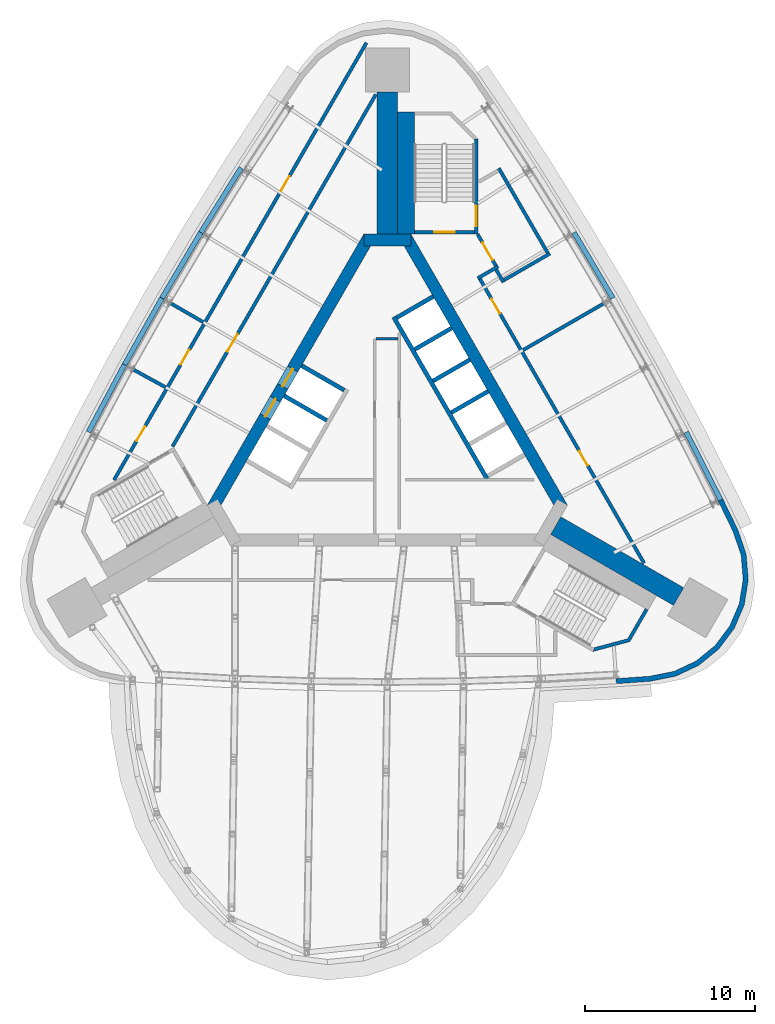
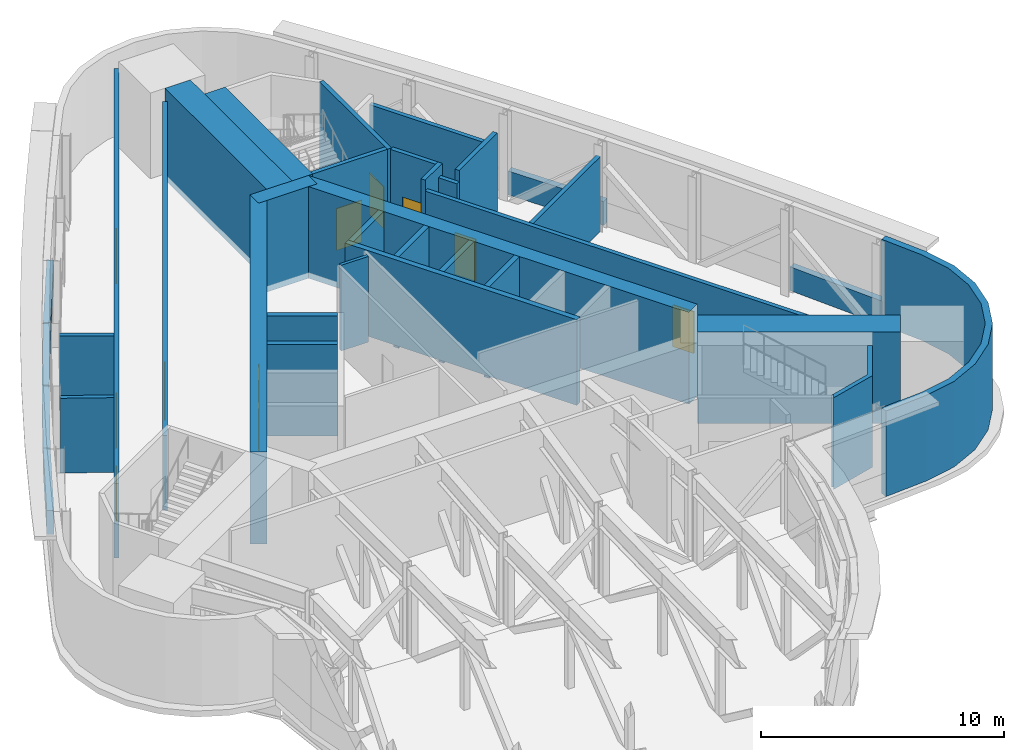
# One storey, part 7 of 10: 35 walls, 11 doors, 11 openings.
"""IFC4 building model written with IfcOpenShell, lengths in metres."""

import ifcopenshell
import ifcopenshell.guid

model = None  # the IFC model being written
_history = None  # IfcOwnerHistory: only IFC2X3 demands one
_inside = {}  # id of a spatial element -> (the spatial element, [elements in it])
_under = {}  # id of a project, library or spatial element -> (it, [spatial elements below it])
_declared = {}  # id of a project -> (the project, [libraries it declares])
_typed = {}  # id of a type object -> (the type object, [elements of that type])
_made_of = {}  # id of a material, layer set ... -> (it, [elements and type objects made of it])


def new_model(schema):
    """Start an empty IFC model of exactly this schema.

    Asked for "IFC4X3", IfcOpenShell would pick the latest addendum, in which some entities
    have other attributes; the version numbers below select the first issue.
    IFC2X3 requires an IfcOwnerHistory on every rooted entity: one is made here for all.
    """
    global model, _history
    if schema == "IFC4X3":
        model = ifcopenshell.file(schema_version=(4, 3, 0, 0))
    else:
        model = ifcopenshell.file(schema=schema)
    _inside.clear()
    _under.clear()
    _declared.clear()
    _typed.clear()
    _made_of.clear()
    _history = None
    if model.schema == "IFC2X3":
        org = make("IfcOrganization", Name="unknown")
        user = make(
            "IfcPersonAndOrganization",
            ThePerson=make("IfcPerson", FamilyName="unknown"),
            TheOrganization=org,
        )
        app = make(
            "IfcApplication",
            ApplicationDeveloper=org,
            Version="unknown",
            ApplicationFullName="unknown",
            ApplicationIdentifier="unknown",
        )
        _history = make(
            "IfcOwnerHistory",
            OwningUser=user,
            OwningApplication=app,
            ChangeAction="ADDED",
            CreationDate=0,
        )
    return model


def make(cls, **values):
    """One entity of the class cls with the attributes given. An attribute that is None is left unset."""
    return model.create_entity(
        cls, **{name: value for name, value in values.items() if value is not None}
    )


def rooted(cls, **values):
    """An entity with a GlobalId (a new one), such as an element, a storey or a relation."""
    return make(cls, GlobalId=ifcopenshell.guid.new(), OwnerHistory=_history, **values)


def si_unit(unit_type, name, prefix=None):
    """IfcSIUnit, for example si_unit("LENGTHUNIT", "METRE", prefix="MILLI")."""
    return make("IfcSIUnit", UnitType=unit_type, Prefix=prefix, Name=name)


def assignment(units):
    """IfcUnitAssignment: the units of a project."""
    return None if units is None else make("IfcUnitAssignment", Units=units)


def point(xyz):
    """IfcCartesianPoint."""
    return None if xyz is None else make("IfcCartesianPoint", Coordinates=xyz)


def direction(xyz):
    """IfcDirection."""
    return None if xyz is None else make("IfcDirection", DirectionRatios=xyz)


def frame(location, z_axis=None, x_axis=None):
    """IfcAxis2Placement3D, a coordinate frame: its origin and axes. An axis left out is left unset."""
    return make(
        "IfcAxis2Placement3D",
        Location=point(location),
        Axis=direction(z_axis),
        RefDirection=direction(x_axis),
    )


def frame_2d(location, x_axis=None):
    """IfcAxis2Placement2D, a coordinate frame in the plane: its origin and x axis."""
    return make(
        "IfcAxis2Placement2D", Location=point(location), RefDirection=direction(x_axis)
    )


def origin():
    """The frame at (0, 0, 0) with its axes left unset."""
    return frame((0.0, 0.0, 0.0))


def place(relative_to, where):
    """IfcLocalPlacement: puts the frame where relative to a parent placement (None: the world)."""
    return make(
        "IfcLocalPlacement", PlacementRelTo=relative_to, RelativePlacement=where
    )


def context(
    kind, dimensions, precision=None, world=None, true_north=None, identifier=None
):
    """IfcGeometricRepresentationContext, for example the 3D "Model" context."""
    return make(
        "IfcGeometricRepresentationContext",
        ContextIdentifier=identifier,
        ContextType=kind,
        CoordinateSpaceDimension=dimensions,
        Precision=precision,
        WorldCoordinateSystem=world,
        TrueNorth=true_north,
    )


def subcontext(parent, identifier, kind, view, scale=None):
    """IfcGeometricRepresentationSubContext, for example "Body" below "Model"."""
    return make(
        "IfcGeometricRepresentationSubContext",
        ContextIdentifier=identifier,
        ContextType=kind,
        ParentContext=parent,
        TargetScale=scale,
        TargetView=view,
    )


def project(units=None, contexts=None):
    """IfcProject with its units and contexts."""
    return rooted(
        "IfcProject",
        Name="project",
        RepresentationContexts=contexts,
        UnitsInContext=assignment(units),
    )


def spatial(cls, under=None, at=None, **own):
    """A site, building, storey or space (cls), placed at a placement, below another one or the project."""
    s = rooted(cls, ObjectPlacement=at, **own)
    if under is not None:
        _under.setdefault(under.id(), (under, []))[1].append(s)
    return s


def polyline(points):
    """IfcPolyline through the points."""
    return make("IfcPolyline", Points=[point(p) for p in points])


def profile(cls, at=None, kind="AREA", **sizes):
    """A parametric profile (cls). Its sizes go by their IFC names, for example OverallWidth=200.0."""
    return make(cls, ProfileType=kind, Position=at, **sizes)


def rectangle(**sizes):
    """IfcRectangleProfileDef."""
    return profile("IfcRectangleProfileDef", **sizes)


def outline(outer, holes=None, kind="AREA"):
    """IfcArbitraryClosedProfileDef: a profile drawn as a closed curve; with holes, ...WithVoids."""
    if holes is None:
        return make("IfcArbitraryClosedProfileDef", ProfileType=kind, OuterCurve=outer)
    return make(
        "IfcArbitraryProfileDefWithVoids",
        ProfileType=kind,
        OuterCurve=outer,
        InnerCurves=holes,
    )


def extrude(swept, where, along, depth):
    """IfcExtrudedAreaSolid: the profile swept, set in the frame where, extruded along a direction by depth."""
    return make(
        "IfcExtrudedAreaSolid",
        SweptArea=swept,
        Position=where,
        ExtrudedDirection=direction(along),
        Depth=depth,
    )


def shape(context_of_items, identifier, shape_type, items):
    """IfcShapeRepresentation: the items that make up one representation, for example the "Body"."""
    return make(
        "IfcShapeRepresentation",
        ContextOfItems=context_of_items,
        RepresentationIdentifier=identifier,
        RepresentationType=shape_type,
        Items=items,
    )


def material(Name=None, Category=None):
    """IfcMaterial."""
    return make("IfcMaterial", Name=Name, Category=Category)


def layer(
    of_material, thickness, ventilated=None, Name=None, Category=None, Priority=None
):
    """IfcMaterialLayer: one layer of a wall or slab, of a material (None: an air gap)."""
    return make(
        "IfcMaterialLayer",
        Material=of_material,
        LayerThickness=thickness,
        IsVentilated=ventilated,
        Name=Name,
        Category=Category,
        Priority=Priority,
    )


def layer_set(layers, Name=None):
    """IfcMaterialLayerSet."""
    return make("IfcMaterialLayerSet", MaterialLayers=layers, LayerSetName=Name)


def made_of(thing, what):
    """Note that an element or type object is made of a material, layer set ...; save() writes the relation."""
    if what is not None:
        _made_of.setdefault(what.id(), (what, []))[1].append(thing)
    return thing


def type_object(cls, material=None, **own):
    """A type object (cls), such as IfcWallType, which elements share."""
    return made_of(rooted(cls, **own), material)


def element(
    cls,
    number,
    at=None,
    inside=None,
    cuts=None,
    type_object=None,
    material=None,
    context=None,
    identifier="Body",
    shape_type=None,
    held_by="IfcProductDefinitionShape",
    body=None,
    shapes=None,
    **own,
):
    """One element of the class cls, such as IfcWall. Its Tag is "e" and its number.

    at: its placement. inside: the storey or other place that contains it. cuts: it is an
    opening in that element (IfcRelVoidsElement). A single representation is given by context,
    identifier, shape_type and body (its items); several are given by shapes. held_by: the class
    of the entity that holds the representations. save() writes the other relations.
    """
    e = rooted(cls, Tag="e%d" % number, ObjectPlacement=at, **own)
    if body is not None:
        shapes = [shape(context, identifier, shape_type, body)]
    if shapes is not None:
        e.Representation = make(held_by, Representations=shapes)
    if inside is not None:
        _inside.setdefault(inside.id(), (inside, []))[1].append(e)
    if cuts is not None:
        rooted(
            "IfcRelVoidsElement", RelatingBuildingElement=cuts, RelatedOpeningElement=e
        )
    if type_object is not None:
        _typed.setdefault(type_object.id(), (type_object, []))[1].append(e)
    return made_of(e, material)


def fill(opening, filler):
    """IfcRelFillsElement: the door or window that sits in an opening."""
    return rooted(
        "IfcRelFillsElement",
        RelatingOpeningElement=opening,
        RelatedBuildingElement=filler,
    )


def aggregate(whole, parts):
    """IfcRelAggregates: a whole, such as a stair, and the parts it consists of."""
    return rooted("IfcRelAggregates", RelatingObject=whole, RelatedObjects=parts)


def save(model, path):
    """Write the relations noted so far, then the file.

    IfcRelAggregates (storeys below a building ...), IfcRelContainedInSpatialStructure (elements
    in a storey), IfcRelDefinesByType, IfcRelAssociatesMaterial and IfcRelDeclares: one each for
    every whole, place, type object, material and project.
    """
    for whole, parts in _under.values():
        aggregate(whole, parts)
    for where, things in _inside.values():
        rooted(
            "IfcRelContainedInSpatialStructure",
            RelatedElements=things,
            RelatingStructure=where,
        )
    for kind, things in _typed.values():
        rooted("IfcRelDefinesByType", RelatedObjects=things, RelatingType=kind)
    for what, things in _made_of.values():
        rooted("IfcRelAssociatesMaterial", RelatedObjects=things, RelatingMaterial=what)
    for by, libraries in _declared.values():
        rooted("IfcRelDeclares", RelatingContext=by, RelatedDefinitions=libraries)
    model.write(path)


model = new_model("IFC4")

# Units and contexts
model_context = context("Model", 3, precision=1e-05, world=origin(), true_north=direction((0.0, 1.0)))
body_context = subcontext(model_context, "Body", "Model", "MODEL_VIEW")
ifc_project = project(units=[si_unit("LENGTHUNIT", "METRE"), si_unit("AREAUNIT", "SQUARE_METRE"), si_unit("VOLUMEUNIT", "CUBIC_METRE"), si_unit("PLANEANGLEUNIT", "RADIAN"), si_unit("MASSUNIT", "GRAM", prefix="KILO")], contexts=[model_context])

# Site, building, storey
site_placement = place(None, origin())
site = spatial("IfcSite", under=ifc_project, at=site_placement, CompositionType="ELEMENT")
building_placement = place(site_placement, origin())
building = spatial("IfcBuilding", under=site, at=building_placement, Name="Noor Cloister Tower", CompositionType="ELEMENT")
storey_placement = place(building_placement, frame((0.0, 0.0, 210.300048828125)))
storey = spatial("IfcBuildingStorey", under=building, at=storey_placement, Name="L54", CompositionType="ELEMENT", Elevation=210.300048828125)

# Walls
ifc_material_1 = material(Name="Concrete C70/85", Category="concrete")
ifc_layer_1 = layer(ifc_material_1, 1.199951171875)
ifc_layer_set_1 = layer_set([ifc_layer_1], Name="Buttress wall 1200 C70/85")
wall_type_1 = type_object("IfcWallType", Name="Buttress wall 1200 C70/85", PredefinedType="SHEAR", material=ifc_layer_set_1)
for number, where, z_axis, x_axis, name in (
    (1, (0.0, 11.456298828125, -0.300048828125), (0.0, 0.0, 1.0), (0.0, 1.0, 0.0), "Buttress wall N L54"),
    (2, (9.921630859375, -5.728271484375, -0.300048828125), (0.0, 0.0, 1.0), (0.866030911543, -0.499990460161, 0.0), "Buttress wall SE L54"),
):
    element("IfcWall", number, at=place(storey_placement, frame(where, z_axis=z_axis, x_axis=x_axis)), inside=storey, type_object=wall_type_1, Name=name, PredefinedType="SHEAR", context=body_context, shape_type="SweptSolid", body=[
        extrude(rectangle(XDim=8.358642578125, YDim=1.199951171875, at=frame_2d((4.17919921875, 0.0))), origin(), (0.0, 0.0, 1.0), 4.60009765625),
    ])
ifc_material_2 = material(Name="Concrete C30/37", Category="concrete")
ifc_layer_2 = layer(ifc_material_2, 0.14990234375)
ifc_layer_set_2 = layer_set([ifc_layer_2], Name="Core partition 150 C30/37")
wall_type_2 = type_object("IfcWallType", Name="Core partition 150 C30/37", PredefinedType="PARTITIONING", material=ifc_layer_set_2)
wall_1_placement = place(storey_placement, frame((-0.6787109375, 5.271728515625, 0.0), z_axis=(0.0, 0.0, 1.0), x_axis=(1.0, 0.0, 0.0)))
element("IfcWall", 3, at=wall_1_placement, inside=storey, type_object=wall_type_2, Name="Core room partition L54 3", PredefinedType="PARTITIONING", context=body_context, shape_type="SweptSolid", body=[
    extrude(rectangle(XDim=1.300048828125, YDim=0.14990234375, at=frame_2d((0.64990234375, 0.0))), origin(), (0.0, 0.0, 1.0), 4.300048828125),
])
ifc_material_3 = material(Name="Concrete C70/85", Category="concrete")
ifc_layer_3 = layer(ifc_material_3, 0.699951171875)
ifc_layer_set_3 = layer_set([ifc_layer_3], Name="Core wall 700 C70/85")
wall_type_3 = type_object("IfcWallType", Name="Core wall 700 C70/85", PredefinedType="SHEAR", material=ifc_layer_set_3)
wall_2_placement = place(storey_placement, frame((10.311279296875, -4.703125, -0.300048828125), z_axis=(0.0, 0.0, 1.0), x_axis=(-0.500001446645, 0.866024568562, 0.0)))
element("IfcWall", 4, at=wall_2_placement, inside=storey, type_object=wall_type_3, Name="Core wall L54 3", PredefinedType="SHEAR", context=body_context, shape_type="SweptSolid", body=[
    extrude(rectangle(XDim=18.45751953125, YDim=0.699951171875, at=frame_2d((9.228759765625, 0.0))), origin(), (0.0, 0.0, 1.0), 4.60009765625),
])
wall_3_placement = place(storey_placement, frame((1.3857421875, 11.1064453125, -0.300048828125), z_axis=(0.0, 0.0, 1.0), x_axis=(-1.0, 0.0, 0.0)))
element("IfcWall", 5, at=wall_3_placement, inside=storey, type_object=wall_type_3, Name="Core wall L54 4", PredefinedType="SHEAR", context=body_context, shape_type="SweptSolid", body=[
    extrude(rectangle(XDim=2.771484375, YDim=0.699951171875, at=frame_2d((1.3857421875, 0.0))), origin(), (0.0, 0.0, 1.0), 4.60009765625),
])

# Wall, openings, doors
wall_4_placement = place(storey_placement, frame((-1.08251953125, 11.281494140625, -0.300048828125), z_axis=(0.0, 0.0, 1.0), x_axis=(-0.500001446645, -0.866024568562, 0.0)))
wall_4 = element("IfcWall", 6, at=wall_4_placement, inside=storey, type_object=wall_type_3, Name="Core wall L54 5", PredefinedType="SHEAR", context=body_context, shape_type="SweptSolid", body=[
    extrude(rectangle(XDim=18.45751953125, YDim=0.699951171875, at=frame_2d((9.228759765625, 0.0))), origin(), (0.0, 0.0, 1.0), 4.60009765625),
])
opening_1_placement = place(wall_4_placement, frame((8.978759765625, 0.0, 0.300048828125)))
opening_1 = element("IfcOpeningElement", 7, at=opening_1_placement, cuts=wall_4, Name="Opening L54-FF1", PredefinedType="OPENING", context=body_context, shape_type="SweptSolid", body=[
    extrude(rectangle(XDim=1.199951171875, YDim=2.10009765625, at=frame_2d((0.60009765625, 1.050048828125))), frame((0.0, 0.35986328125, 0.0), z_axis=(0.0, -1.0, 0.0), x_axis=(1.0, 0.0, 0.0)), (0.0, 0.0, 1.0), 0.719970703125),
])
opening_2_placement = place(wall_4_placement, frame((11.02880859375, 0.0, 0.300048828125)))
opening_2 = element("IfcOpeningElement", 8, at=opening_2_placement, cuts=wall_4, Name="Opening L54-FF2", PredefinedType="OPENING", context=body_context, shape_type="SweptSolid", body=[
    extrude(rectangle(XDim=1.199951171875, YDim=2.10009765625, at=frame_2d((0.60009765625, 1.050048828125))), frame((0.0, 0.35986328125, 0.0), z_axis=(0.0, -1.0, 0.0), x_axis=(1.0, 0.0, 0.0)), (0.0, 0.0, 1.0), 0.719970703125),
])
ifc_material_4 = material(Name="Stainless steel", Category="steel")
door_type_1 = type_object("IfcDoorType", Name="Lift landing door 1200 x 2100", OperationType="DOUBLE_DOOR_SLIDING", PredefinedType="DOOR", material=ifc_material_4)
door_1_placement = place(opening_1_placement, origin())
door_1 = element("IfcDoor", 9, at=door_1_placement, inside=storey, type_object=door_type_1, Name="Landing door FF1 L54", OperationType="DOUBLE_DOOR_SLIDING", OverallHeight=2.10009765625, OverallWidth=1.199951171875, PredefinedType="DOOR", context=body_context, shape_type="SweptSolid", body=[
    extrude(rectangle(XDim=1.199951171875, YDim=2.10009765625, at=frame_2d((0.60009765625, 1.050048828125))), frame((0.0, 0.02490234375, 0.0), z_axis=(0.0, -1.0, 0.0), x_axis=(1.0, 0.0, 0.0)), (0.0, 0.0, 1.0), 0.050048828125),
])
fill(opening_1, door_1)
door_2_placement = place(opening_2_placement, origin())
door_2 = element("IfcDoor", 10, at=door_2_placement, inside=storey, type_object=door_type_1, Name="Landing door FF2 L54", OperationType="DOUBLE_DOOR_SLIDING", OverallHeight=2.10009765625, OverallWidth=1.199951171875, PredefinedType="DOOR", context=body_context, shape_type="SweptSolid", body=[
    extrude(rectangle(XDim=1.199951171875, YDim=2.10009765625, at=frame_2d((0.60009765625, 1.050048828125))), frame((0.0, 0.02490234375, 0.0), z_axis=(0.0, -1.0, 0.0), x_axis=(1.0, 0.0, 0.0)), (0.0, 0.0, 1.0), 0.050048828125),
])
fill(opening_2, door_2)

# Walls
ifc_material_5 = material(Name="Limestone", Category="masonry")
ifc_layer_4 = layer(ifc_material_5, 0.300048828125)
ifc_layer_set_4 = layer_set([ifc_layer_4], Name="Limestone cladding 300")
wall_type_4 = type_object("IfcWallType", Name="Limestone cladding 300", PredefinedType="NOTDEFINED", material=ifc_layer_set_4)
wall_5_placement = place(storey_placement, origin())
element("IfcWall", 11, at=wall_5_placement, inside=storey, type_object=wall_type_4, Name="Limestone pier cladding L54 2.1", PredefinedType="NOTDEFINED", context=body_context, shape_type="SweptSolid", body=[
    extrude(outline(polyline([(13.489990234375, -15.04248046875), (15.50732421875, -14.898193359375), (16.988037109375, -14.6015625), (18.354248046875, -13.957763671875), (19.52587890625, -13.00439453125), (20.433837890625, -11.79736328125), (21.02490234375, -10.40771484375), (21.264892578125, -8.91650390625), (21.139404296875, -7.411376953125), (20.65576171875, -5.98046875), (19.772216796875, -4.16162109375), (19.50244140625, -4.292724609375), (20.377685546875, -6.094482421875), (20.843505859375, -7.47265625), (20.962890625, -8.905029296875), (20.734619140625, -10.323974609375), (20.171875, -11.646240234375), (19.30810546875, -12.794677734375), (18.193359375, -13.701904296875), (16.893310546875, -14.314697265625), (15.467041015625, -14.600341796875), (13.46875, -14.7431640625), (13.489990234375, -15.04248046875)])), origin(), (0.0, 0.0, 1.0), 4.300048828125),
])
ifc_material_6 = material(Name="Limestone", Category="masonry")
ifc_layer_5 = layer(ifc_material_6, 0.300048828125)
ifc_layer_set_5 = layer_set([ifc_layer_5], Name="Limestone panel wall 300")
wall_type_5 = type_object("IfcWallType", Name="Limestone panel wall 300", PredefinedType="NOTDEFINED", material=ifc_layer_set_5)
wall_6_placement = place(storey_placement, origin())
element("IfcWall", 12, at=wall_6_placement, inside=storey, type_object=wall_type_5, Name="Limestone panel wall L54 1.2", PredefinedType="NOTDEFINED", context=body_context, shape_type="SweptSolid", body=[
    extrude(outline(polyline([(-8.744140625, 15.437255859375), (-11.122314453125, 11.6171875), (-10.867431640625, 11.45849609375), (-8.489501953125, 15.27880859375), (-8.744140625, 15.437255859375)])), origin(), (0.0, 0.0, 1.0), 1.199951171875),
])
wall_7_placement = place(storey_placement, origin())
element("IfcWall", 13, at=wall_7_placement, inside=storey, type_object=wall_type_5, Name="Limestone panel wall L54 1.3", PredefinedType="NOTDEFINED", context=body_context, shape_type="SweptSolid", body=[
    extrude(outline(polyline([(-11.122314453125, 11.6171875), (-13.415283203125, 7.745361328125), (-13.156982421875, 7.59228515625), (-10.864013671875, 11.46435546875), (-11.122314453125, 11.6171875)])), origin(), (0.0, 0.0, 1.0), 1.199951171875),
])
wall_8_placement = place(storey_placement, origin())
element("IfcWall", 14, at=wall_8_placement, inside=storey, type_object=wall_type_5, Name="Limestone panel wall L54 1.4", PredefinedType="NOTDEFINED", context=body_context, shape_type="SweptSolid", body=[
    extrude(outline(polyline([(-13.415283203125, 7.745361328125), (-15.621826171875, 3.823486328125), (-15.3603515625, 3.676513671875), (-13.15380859375, 7.59814453125), (-13.415283203125, 7.745361328125)])), origin(), (0.0, 0.0, 1.0), 1.199951171875),
])
wall_9_placement = place(storey_placement, origin())
element("IfcWall", 15, at=wall_9_placement, inside=storey, type_object=wall_type_5, Name="Limestone panel wall L54 1.5", PredefinedType="NOTDEFINED", context=body_context, shape_type="SweptSolid", body=[
    extrude(outline(polyline([(-15.621826171875, 3.823486328125), (-17.7412109375, -0.14599609375), (-17.4765625, -0.287353515625), (-15.357177734375, 3.682373046875), (-15.621826171875, 3.823486328125)])), origin(), (0.0, 0.0, 1.0), 1.199951171875),
])
wall_10_placement = place(storey_placement, origin())
element("IfcWall", 16, at=wall_10_placement, inside=storey, type_object=wall_type_5, Name="Limestone panel wall L54 4.1", PredefinedType="NOTDEFINED", context=body_context, shape_type="SweptSolid", body=[
    extrude(outline(polyline([(19.772216796875, -4.16162109375), (17.7412109375, -0.14599609375), (17.473388671875, -0.281494140625), (19.50439453125, -4.296875), (19.772216796875, -4.16162109375)])), origin(), (0.0, 0.0, 1.0), 1.199951171875),
])
wall_11_placement = place(storey_placement, origin())
element("IfcWall", 17, at=wall_11_placement, inside=storey, type_object=wall_type_5, Name="Limestone panel wall L54 4.4", PredefinedType="NOTDEFINED", context=body_context, shape_type="SweptSolid", body=[
    extrude(outline(polyline([(13.415283203125, 7.745361328125), (11.122314453125, 11.6171875), (10.864013671875, 11.46435546875), (13.156982421875, 7.59228515625), (13.415283203125, 7.745361328125)])), origin(), (0.0, 0.0, 1.0), 1.199951171875),
])
ifc_material_7 = material(Name="Concrete C70/85", Category="concrete")
ifc_layer_6 = layer(ifc_material_7, 0.25)
ifc_layer_set_6 = layer_set([ifc_layer_6], Name="Shaft wall 250 C70/85")
wall_type_6 = type_object("IfcWallType", Name="Shaft wall 250 C70/85", PredefinedType="PARTITIONING", material=ifc_layer_set_6)
wall_12_placement = place(storey_placement, frame((5.931396484375, 2.18310546875, -0.300048828125), z_axis=(0.0, 0.0, 1.0), x_axis=(-0.866047370643, -0.499961950354, 0.0)))
element("IfcWall", 18, at=wall_12_placement, inside=storey, type_object=wall_type_6, Name="Lift shaft wall L54 NE 3", PredefinedType="PARTITIONING", context=body_context, shape_type="SweptSolid", body=[
    extrude(rectangle(XDim=2.500244140625, YDim=0.25, at=frame_2d((1.25, 0.0))), origin(), (0.0, 0.0, 1.0), 4.60009765625),
])
for number, where, z_axis, x_axis, name in (
    (19, (4.856201171875, 4.045166015625, -0.300048828125), (0.0, 0.0, 1.0), (-0.866022959057, -0.500004234368, 0.0), "Lift shaft wall L54 NE 4"),
    (20, (3.78125, 5.906982421875, -0.300048828125), (0.0, 0.0, 1.0), (-0.866022959057, -0.500004234368, 0.0), "Lift shaft wall L54 NE 5"),
    (21, (2.706298828125, 7.76904296875, -0.300048828125), (0.0, 0.0, 1.0), (-0.866022959057, -0.500004234368, 0.0), "Lift shaft wall L54 NE 6"),
):
    element("IfcWall", number, at=place(storey_placement, frame(where, z_axis=z_axis, x_axis=x_axis)), inside=storey, type_object=wall_type_6, Name=name, PredefinedType="PARTITIONING", context=body_context, shape_type="SweptSolid", body=[
        extrude(rectangle(XDim=2.5, YDim=0.25, at=frame_2d((1.25, 0.0))), origin(), (0.0, 0.0, 1.0), 4.60009765625),
    ])
wall_13_placement = place(storey_placement, frame((5.870361328125, -2.96142578125, 0.0), z_axis=(0.0, 0.0, 1.0), x_axis=(-0.50000615651, 0.866021849293, 0.0)))
element("IfcWall", 22, at=wall_13_placement, inside=storey, type_object=wall_type_6, Name="Lift shaft back wall L54 NE", PredefinedType="PARTITIONING", context=body_context, shape_type="SweptSolid", body=[
    extrude(rectangle(XDim=10.999755859375, YDim=0.25, at=frame_2d((5.5, 0.0))), origin(), (0.0, 0.0, 1.0), 4.300048828125),
])
for number, where, z_axis, x_axis, name in (
    (23, (-5.056396484375, 3.69873046875, -0.300048828125), (0.0, 0.0, 1.0), (0.866032775405, -0.499987231761, 0.0), "Lift shaft wall L54 NW 3"),
    (24, (-6.081298828125, 1.92333984375, -0.300048828125), (0.0, 0.0, 1.0), (0.866032775405, -0.499987231761, 0.0), "Lift shaft wall L54 NW 4"),
):
    element("IfcWall", number, at=place(storey_placement, frame(where, z_axis=z_axis, x_axis=x_axis)), inside=storey, type_object=wall_type_6, Name=name, PredefinedType="PARTITIONING", context=body_context, shape_type="SweptSolid", body=[
        extrude(rectangle(XDim=2.89990234375, YDim=0.25, at=frame_2d((1.449951171875, 0.0))), origin(), (0.0, 0.0, 1.0), 4.60009765625),
    ])

# Wall, opening, door
ifc_material_8 = material(Name="Concrete C70/85", Category="concrete")
ifc_layer_7 = layer(ifc_material_8, 0.199951171875)
ifc_layer_set_7 = layer_set([ifc_layer_7], Name="Stair enclosure wall 200 C70/85")
wall_type_7 = type_object("IfcWallType", Name="Stair enclosure wall 200 C70/85", PredefinedType="SHEAR", material=ifc_layer_set_7)
wall_14_placement = place(storey_placement, frame((5.135498046875, 11.556396484375, -0.300048828125), z_axis=(0.0, 0.0, 1.0), x_axis=(-1.0, 0.0, 0.0)))
wall_14 = element("IfcWall", 25, at=wall_14_placement, inside=storey, type_object=wall_type_7, Name="Stair enclosure wall ST1 L54 near end", PredefinedType="SHEAR", context=body_context, shape_type="SweptSolid", body=[
    extrude(rectangle(XDim=3.5498046875, YDim=0.199951171875, at=frame_2d((1.77490234375, 0.0))), origin(), (0.0, 0.0, 1.0), 4.60009765625),
])
opening_3_placement = place(wall_14_placement, frame((1.175048828125, 0.0, 0.300048828125)))
opening_3 = element("IfcOpeningElement", 26, at=opening_3_placement, cuts=wall_14, Name="Opening L54-ST1L", PredefinedType="OPENING", context=body_context, shape_type="SweptSolid", body=[
    extrude(rectangle(XDim=1.199951171875, YDim=2.10009765625, at=frame_2d((0.60009765625, 1.050048828125))), frame((0.0, 0.10986328125, 0.0), z_axis=(0.0, -1.0, 0.0), x_axis=(1.0, 0.0, 0.0)), (0.0, 0.0, 1.0), 0.219970703125),
])
ifc_material_9 = material(Name="Steel", Category="steel")
door_type_2 = type_object("IfcDoorType", Name="Stair door 1200 x 2100 FD120", OperationType="SINGLE_SWING_LEFT", PredefinedType="DOOR", material=ifc_material_9)
door_3_placement = place(opening_3_placement, origin())
door_3 = element("IfcDoor", 27, at=door_3_placement, inside=storey, type_object=door_type_2, Name="Stair door ST1 L54", OperationType="SINGLE_SWING_RIGHT", OverallHeight=2.10009765625, OverallWidth=1.199951171875, PredefinedType="DOOR", context=body_context, shape_type="SweptSolid", body=[
    extrude(rectangle(XDim=1.199951171875, YDim=2.10009765625, at=frame_2d((0.60009765625, 1.050048828125))), frame((0.0, 0.02490234375, 0.0), z_axis=(0.0, -1.0, 0.0), x_axis=(1.0, 0.0, 0.0)), (0.0, 0.0, 1.0), 0.050048828125),
])
fill(opening_3, door_3)

wall_15_placement = place(storey_placement, frame((5.235595703125, 11.456298828125, -0.300048828125), z_axis=(0.0, 0.0, 1.0), x_axis=(0.0, 1.0, 0.0)))
wall_15 = element("IfcWall", 28, at=wall_15_placement, inside=storey, type_object=wall_type_7, Name="Stair enclosure wall ST1 L54 outer side", PredefinedType="SHEAR", context=body_context, shape_type="SweptSolid", body=[
    extrude(rectangle(XDim=5.60009765625, YDim=0.199951171875, at=frame_2d((2.800048828125, 0.0))), origin(), (0.0, 0.0, 1.0), 4.60009765625),
])
opening_4_placement = place(wall_15_placement, frame((0.449951171875, 0.0, 0.300048828125)))
opening_4 = element("IfcOpeningElement", 29, at=opening_4_placement, cuts=wall_15, Name="Opening L54-ST1C", PredefinedType="OPENING", context=body_context, shape_type="SweptSolid", body=[
    extrude(rectangle(XDim=1.199951171875, YDim=2.10009765625, at=frame_2d((0.60009765625, 1.050048828125))), frame((0.0, 0.10986328125, 0.0), z_axis=(0.0, -1.0, 0.0), x_axis=(1.0, 0.0, 0.0)), (0.0, 0.0, 1.0), 0.219970703125),
])
door_4_placement = place(opening_4_placement, origin())
door_4 = element("IfcDoor", 30, at=door_4_placement, inside=storey, type_object=door_type_2, Name="Stair door ST1 L54", OperationType="SINGLE_SWING_LEFT", OverallHeight=2.10009765625, OverallWidth=1.199951171875, PredefinedType="DOOR", context=body_context, shape_type="SweptSolid", body=[
    extrude(rectangle(XDim=1.199951171875, YDim=2.10009765625, at=frame_2d((0.60009765625, 1.050048828125))), frame((0.0, 0.02490234375, 0.0), z_axis=(0.0, -1.0, 0.0), x_axis=(1.0, 0.0, 0.0)), (0.0, 0.0, 1.0), 0.050048828125),
])
fill(opening_4, door_4)

# Walls
ifc_material_10 = material(Name="Concrete C70/85", Category="concrete")
ifc_layer_8 = layer(ifc_material_10, 0.986083984375)
ifc_layer_set_8 = layer_set([ifc_layer_8], Name="Stair enclosure wall 986 C70/85")
wall_type_8 = type_object("IfcWallType", Name="Stair enclosure wall 986 C70/85", PredefinedType="SHEAR", material=ifc_layer_set_8)
wall_16_placement = place(storey_placement, frame((1.0927734375, 11.456298828125, -0.300048828125), z_axis=(0.0, 0.0, 1.0), x_axis=(0.0, 1.0, 0.0)))
element("IfcWall", 31, at=wall_16_placement, inside=storey, type_object=wall_type_8, Name="Stair enclosure wall ST1 L54 riser side", PredefinedType="SHEAR", context=body_context, shape_type="SweptSolid", body=[
    extrude(rectangle(XDim=7.2001953125, YDim=0.985595703125, at=frame_2d((3.60009765625, 0.0))), origin(), (0.0, 0.0, 1.0), 4.60009765625),
])
ifc_material_11 = material(Name="Concrete C70/85", Category="concrete")
wall_type_9 = type_object("IfcWallType", Name="Stair far end wall C70/85", PredefinedType="SHEAR", material=ifc_material_11)
wall_17_placement = place(storey_placement, frame((0.0, 0.0, -0.300048828125)))
element("IfcWall", 32, at=wall_17_placement, inside=storey, type_object=wall_type_9, Name="Stair enclosure wall ST3 L54 far end", PredefinedType="SHEAR", context=body_context, shape_type="SweptSolid", body=[
    extrude(outline(polyline([(12.103515625, -13.14892578125), (14.2890625, -12.5634765625), (15.364013671875, -10.701416015625), (15.19091796875, -10.601318359375), (14.1572265625, -12.3916015625), (12.131591796875, -12.934326171875), (12.20361328125, -12.975830078125), (12.20361328125, -12.975830078125), (12.20361328125, -12.975830078125), (12.20361328125, -12.975830078125), (12.20361328125, -12.975830078125), (12.20361328125, -12.975830078125), (12.20361328125, -12.975830078125), (12.20361328125, -12.975830078125), (12.20361328125, -12.975830078125), (12.20361328125, -12.975830078125), (12.20361328125, -12.975830078125), (12.20361328125, -12.975830078125), (12.20361328125, -12.975830078125), (12.20361328125, -12.975830078125), (12.20361328125, -12.975830078125), (12.20361328125, -12.975830078125), (12.20361328125, -12.975830078125), (12.103515625, -13.14892578125)])), origin(), (0.0, 0.0, 1.0), 4.60009765625),
])

# Wall, opening, door
ifc_material_12 = material(Name="Concrete block wall, 200 mm", Category="concrete")
ifc_layer_9 = layer(ifc_material_12, 0.199951171875)
ifc_layer_set_9 = layer_set([ifc_layer_9], Name="Upper floor plant room wall 200")
wall_type_10 = type_object("IfcWallType", Name="Upper floor plant room wall 200", PredefinedType="PARTITIONING", material=ifc_layer_set_9)
wall_18_placement = place(storey_placement, frame((-0.68017578125, 19.678466796875, 0.0), z_axis=(0.0, 0.0, 1.0), x_axis=(-0.49999622545, -0.866027583011, 0.0)))
wall_18 = element("IfcWall", 33, at=wall_18_placement, inside=storey, type_object=wall_type_10, Name="Upper floor plant room wall 200 L54 001", PredefinedType="PARTITIONING", context=body_context, shape_type="SweptSolid", body=[
    extrude(rectangle(XDim=23.955810546875, YDim=0.199951171875, at=frame_2d((11.97802734375, 0.0))), origin(), (0.0, 0.0, 1.0), 3.751953125),
])
opening_5_placement = place(wall_18_placement, frame((16.300537109375, 0.0, 0.0)))
opening_5 = element("IfcOpeningElement", 34, at=opening_5_placement, cuts=wall_18, Name="Opening L54-004", PredefinedType="OPENING", context=body_context, shape_type="SweptSolid", body=[
    extrude(rectangle(XDim=1.199951171875, YDim=2.10009765625, at=frame_2d((0.60009765625, 1.050048828125))), frame((0.0, 0.10986328125, 0.0), z_axis=(0.0, -1.0, 0.0), x_axis=(1.0, 0.0, 0.0)), (0.0, 0.0, 1.0), 0.219970703125),
])
ifc_material_13 = material(Name="Timber door leaf with steel frame", Category="steel")
door_type_3 = type_object("IfcDoorType", Name="Firefighting lobby door 1200", OperationType="NOTDEFINED", PredefinedType="DOOR", material=ifc_material_13)
door_5_placement = place(opening_5_placement, origin())
door_5 = element("IfcDoor", 35, at=door_5_placement, inside=storey, type_object=door_type_3, Name="Firefighting lobby door 1200 L54-004", OperationType="SINGLE_SWING_RIGHT", OverallHeight=2.10009765625, OverallWidth=1.199951171875, PredefinedType="DOOR", context=body_context, shape_type="SweptSolid", body=[
    extrude(rectangle(XDim=1.199951171875, YDim=2.10009765625, at=frame_2d((0.60009765625, 1.050048828125))), frame((0.0, 0.02490234375, 0.0), z_axis=(0.0, -1.0, 0.0), x_axis=(1.0, 0.0, 0.0)), (0.0, 0.0, 1.0), 0.050048828125),
])
fill(opening_5, door_5)

# Wall, openings, doors
wall_19_placement = place(storey_placement, frame((-16.10400390625, -3.03662109375, 0.0), z_axis=(0.0, 0.0, 1.0), x_axis=(0.499996511208, 0.86602741803, 0.0)))
wall_19 = element("IfcWall", 36, at=wall_19_placement, inside=storey, type_object=wall_type_10, Name="Upper floor plant room wall 200 L54 002", PredefinedType="PARTITIONING", context=body_context, shape_type="SweptSolid", body=[
    extrude(rectangle(XDim=29.739990234375, YDim=0.199951171875, at=frame_2d((14.8701171875, 0.0))), origin(), (0.0, 0.0, 1.0), 3.751953125),
])
opening_6_placement = place(wall_19_placement, frame((19.660888671875, 0.0, 0.0)))
opening_6 = element("IfcOpeningElement", 37, at=opening_6_placement, cuts=wall_19, Name="Opening L54-001", PredefinedType="OPENING", context=body_context, shape_type="SweptSolid", body=[
    extrude(rectangle(XDim=1.0, YDim=2.10009765625, at=frame_2d((0.5, 1.050048828125))), frame((0.0, 0.10986328125, 0.0), z_axis=(0.0, -1.0, 0.0), x_axis=(1.0, 0.0, 0.0)), (0.0, 0.0, 1.0), 0.219970703125),
])
opening_7_placement = place(wall_19_placement, frame((7.860107421875, 0.0, 0.0)))
opening_7 = element("IfcOpeningElement", 38, at=opening_7_placement, cuts=wall_19, Name="Opening L54-002", PredefinedType="OPENING", context=body_context, shape_type="SweptSolid", body=[
    extrude(rectangle(XDim=1.0, YDim=2.10009765625, at=frame_2d((0.5, 1.050048828125))), frame((0.0, 0.10986328125, 0.0), z_axis=(0.0, -1.0, 0.0), x_axis=(1.0, 0.0, 0.0)), (0.0, 0.0, 1.0), 0.219970703125),
])
opening_8_placement = place(wall_19_placement, frame((2.640380859375, 0.0, 0.0)))
opening_8 = element("IfcOpeningElement", 39, at=opening_8_placement, cuts=wall_19, Name="Opening L54-003", PredefinedType="OPENING", context=body_context, shape_type="SweptSolid", body=[
    extrude(rectangle(XDim=1.0, YDim=2.10009765625, at=frame_2d((0.5, 1.050048828125))), frame((0.0, 0.10986328125, 0.0), z_axis=(0.0, -1.0, 0.0), x_axis=(1.0, 0.0, 0.0)), (0.0, 0.0, 1.0), 0.219970703125),
])
ifc_material_14 = material(Name="Timber door leaf with steel frame", Category="steel")
door_type_4 = type_object("IfcDoorType", Name="Plant room door 1000", OperationType="NOTDEFINED", PredefinedType="DOOR", material=ifc_material_14)
door_6_placement = place(opening_6_placement, origin())
door_6 = element("IfcDoor", 40, at=door_6_placement, inside=storey, type_object=door_type_4, Name="Plant room door 1000 L54-001", OperationType="SINGLE_SWING_RIGHT", OverallHeight=2.10009765625, OverallWidth=1.0, PredefinedType="DOOR", context=body_context, shape_type="SweptSolid", body=[
    extrude(rectangle(XDim=1.0, YDim=2.10009765625, at=frame_2d((0.5, 1.050048828125))), frame((0.0, 0.02490234375, 0.0), z_axis=(0.0, -1.0, 0.0), x_axis=(1.0, 0.0, 0.0)), (0.0, 0.0, 1.0), 0.050048828125),
])
fill(opening_6, door_6)
door_7_placement = place(opening_7_placement, origin())
door_7 = element("IfcDoor", 41, at=door_7_placement, inside=storey, type_object=door_type_4, Name="Plant room door 1000 L54-002", OperationType="SINGLE_SWING_LEFT", OverallHeight=2.10009765625, OverallWidth=1.0, PredefinedType="DOOR", context=body_context, shape_type="SweptSolid", body=[
    extrude(rectangle(XDim=1.0, YDim=2.10009765625, at=frame_2d((0.5, 1.050048828125))), frame((0.0, 0.02490234375, 0.0), z_axis=(0.0, -1.0, 0.0), x_axis=(1.0, 0.0, 0.0)), (0.0, 0.0, 1.0), 0.050048828125),
])
fill(opening_7, door_7)
door_8_placement = place(opening_8_placement, origin())
door_8 = element("IfcDoor", 42, at=door_8_placement, inside=storey, type_object=door_type_4, Name="Plant room door 1000 L54-003", OperationType="SINGLE_SWING_LEFT", OverallHeight=2.10009765625, OverallWidth=1.0, PredefinedType="DOOR", context=body_context, shape_type="SweptSolid", body=[
    extrude(rectangle(XDim=1.0, YDim=2.10009765625, at=frame_2d((0.5, 1.050048828125))), frame((0.0, 0.02490234375, 0.0), z_axis=(0.0, -1.0, 0.0), x_axis=(1.0, 0.0, 0.0)), (0.0, 0.0, 1.0), 0.050048828125),
])
fill(opening_8, door_8)

# Walls
wall_20_placement = place(storey_placement, frame((-12.808837890625, 7.395263671875, 0.0), z_axis=(0.0, 0.0, 1.0), x_axis=(0.866036427558, -0.499980905779, 0.0)))
element("IfcWall", 43, at=wall_20_placement, inside=storey, type_object=wall_type_10, Name="Upper floor plant room wall 200 L54 003", PredefinedType="PARTITIONING", context=body_context, shape_type="SweptSolid", body=[
    extrude(rectangle(XDim=2.26220703125, YDim=0.199951171875, at=frame_2d((1.131103515625, 0.0))), origin(), (0.0, 0.0, 1.0), 3.751953125),
])
wall_21_placement = place(storey_placement, frame((-15.008056640625, 3.487060546875, 0.0), z_axis=(0.0, 0.0, 1.0), x_axis=(0.876893493113, -0.480684721763, 0.0)))
element("IfcWall", 44, at=wall_21_placement, inside=storey, type_object=wall_type_10, Name="Upper floor plant room wall 200 L54 004", PredefinedType="PARTITIONING", context=body_context, shape_type="SweptSolid", body=[
    extrude(rectangle(XDim=2.2109375, YDim=0.199951171875, at=frame_2d((1.10546875, 0.0))), origin(), (0.0, 0.0, 1.0), 3.751953125),
])
wall_22_placement = place(storey_placement, frame((6.407958984375, 9.357666015625, 0.0), z_axis=(0.0, 0.0, 1.0), x_axis=(0.49996696679, -0.866044474677, 0.0)))
element("IfcWall", 45, at=wall_22_placement, inside=storey, type_object=wall_type_10, Name="Upper floor plant room wall 200 L54 012", PredefinedType="PARTITIONING", context=body_context, shape_type="SweptSolid", body=[
    extrude(rectangle(XDim=0.8642578125, YDim=0.199951171875, at=frame_2d((0.43212890625, 0.0))), origin(), (0.0, 0.0, 1.0), 3.751953125),
])
wall_23_placement = place(storey_placement, frame((5.3203125, 8.84521484375, 0.0), z_axis=(0.0, 0.0, 1.0), x_axis=(0.866031452229, 0.49998952364, 0.0)))
element("IfcWall", 46, at=wall_23_placement, inside=storey, type_object=wall_type_10, Name="Upper floor plant room wall 200 L54 013", PredefinedType="PARTITIONING", context=body_context, shape_type="SweptSolid", body=[
    extrude(rectangle(XDim=1.39794921875, YDim=0.199951171875, at=frame_2d((0.698974609375, 0.0))), origin(), (0.0, 0.0, 1.0), 4.300048828125),
])

# Wall, opening, door
wall_24_placement = place(storey_placement, frame((6.39453125, 9.580810546875, 0.0), z_axis=(0.0, 0.0, 1.0), x_axis=(-0.500003735859, 0.866023246874, 0.0)))
wall_24 = element("IfcWall", 47, at=wall_24_placement, inside=storey, type_object=wall_type_10, Name="Upper floor plant room wall 200 L54 014", PredefinedType="PARTITIONING", context=body_context, shape_type="SweptSolid", body=[
    extrude(rectangle(XDim=2.15380859375, YDim=0.199951171875, at=frame_2d((1.076904296875, 0.0))), origin(), (0.0, 0.0, 1.0), 4.300048828125),
])
opening_9_placement = place(wall_24_placement, frame((0.383056640625, 0.0, 0.0)))
opening_9 = element("IfcOpeningElement", 48, at=opening_9_placement, cuts=wall_24, Name="Opening L54-009", PredefinedType="OPENING", context=body_context, shape_type="SweptSolid", body=[
    extrude(rectangle(XDim=1.199951171875, YDim=2.10009765625, at=frame_2d((0.60009765625, 1.050048828125))), frame((0.0, 0.10986328125, 0.0), z_axis=(0.0, -1.0, 0.0), x_axis=(1.0, 0.0, 0.0)), (0.0, 0.0, 1.0), 0.219970703125),
])
ifc_material_15 = material(Name="Timber door leaf with steel frame", Category="steel")
door_type_5 = type_object("IfcDoorType", Name="Protected lobby door 1200", OperationType="NOTDEFINED", PredefinedType="DOOR", material=ifc_material_15)
door_9_placement = place(opening_9_placement, origin())
door_9 = element("IfcDoor", 49, at=door_9_placement, inside=storey, type_object=door_type_5, Name="Protected lobby door 1200 L54-009", OperationType="SINGLE_SWING_LEFT", OverallHeight=2.10009765625, OverallWidth=1.199951171875, PredefinedType="DOOR", context=body_context, shape_type="SweptSolid", body=[
    extrude(rectangle(XDim=1.199951171875, YDim=2.10009765625, at=frame_2d((0.60009765625, 1.050048828125))), frame((0.0, 0.02490234375, 0.0), z_axis=(0.0, -1.0, 0.0), x_axis=(1.0, 0.0, 0.0)), (0.0, 0.0, 1.0), 0.050048828125),
])
fill(opening_9, door_9)

# Wall, openings, doors
wall_25_placement = place(storey_placement, frame((5.455322265625, 8.8076171875, 0.0), z_axis=(0.0, 0.0, 1.0), x_axis=(0.49999276215, -0.866029582519, 0.0)))
wall_25 = element("IfcWall", 50, at=wall_25_placement, inside=storey, type_object=wall_type_10, Name="Upper floor plant room wall 200 L54 015", PredefinedType="PARTITIONING", context=body_context, shape_type="SweptSolid", body=[
    extrude(rectangle(XDim=19.337158203125, YDim=0.199951171875, at=frame_2d((9.66845703125, 0.0))), origin(), (0.0, 0.0, 1.0), 3.751953125),
])
opening_10_placement = place(wall_25_placement, frame((11.705322265625, 0.0, 0.0)))
opening_10 = element("IfcOpeningElement", 51, at=opening_10_placement, cuts=wall_25, Name="Opening L54-007", PredefinedType="OPENING", context=body_context, shape_type="SweptSolid", body=[
    extrude(rectangle(XDim=1.0, YDim=2.10009765625, at=frame_2d((0.5, 1.050048828125))), frame((0.0, 0.10986328125, 0.0), z_axis=(0.0, -1.0, 0.0), x_axis=(1.0, 0.0, 0.0)), (0.0, 0.0, 1.0), 0.219970703125),
])
opening_11_placement = place(wall_25_placement, frame((1.3505859375, 0.0, 0.0)))
opening_11 = element("IfcOpeningElement", 52, at=opening_11_placement, cuts=wall_25, Name="Opening L54-008", PredefinedType="OPENING", context=body_context, shape_type="SweptSolid", body=[
    extrude(rectangle(XDim=1.0, YDim=2.10009765625, at=frame_2d((0.5, 1.050048828125))), frame((0.0, 0.10986328125, 0.0), z_axis=(0.0, -1.0, 0.0), x_axis=(1.0, 0.0, 0.0)), (0.0, 0.0, 1.0), 0.219970703125),
])
door_10_placement = place(opening_10_placement, origin())
door_10 = element("IfcDoor", 53, at=door_10_placement, inside=storey, type_object=door_type_4, Name="Plant room door 1000 L54-007", OperationType="SINGLE_SWING_RIGHT", OverallHeight=2.10009765625, OverallWidth=1.0, PredefinedType="DOOR", context=body_context, shape_type="SweptSolid", body=[
    extrude(rectangle(XDim=1.0, YDim=2.10009765625, at=frame_2d((0.5, 1.050048828125))), frame((0.0, 0.02490234375, 0.0), z_axis=(0.0, -1.0, 0.0), x_axis=(1.0, 0.0, 0.0)), (0.0, 0.0, 1.0), 0.050048828125),
])
fill(opening_10, door_10)
door_11_placement = place(opening_11_placement, origin())
door_11 = element("IfcDoor", 54, at=door_11_placement, inside=storey, type_object=door_type_4, Name="Plant room door 1000 L54-008", OperationType="SINGLE_SWING_LEFT", OverallHeight=2.10009765625, OverallWidth=1.0, PredefinedType="DOOR", context=body_context, shape_type="SweptSolid", body=[
    extrude(rectangle(XDim=1.0, YDim=2.10009765625, at=frame_2d((0.5, 1.050048828125))), frame((0.0, 0.02490234375, 0.0), z_axis=(0.0, -1.0, 0.0), x_axis=(1.0, 0.0, 0.0)), (0.0, 0.0, 1.0), 0.050048828125),
])
fill(opening_11, door_11)

# Walls
wall_26_placement = place(storey_placement, frame((7.991943359375, 4.614013671875, 0.0), z_axis=(0.0, 0.0, 1.0), x_axis=(0.866008693241, 0.500028942393, 0.0)))
element("IfcWall", 55, at=wall_26_placement, inside=storey, type_object=wall_type_10, Name="Upper floor plant room wall 200 L54 016", PredefinedType="PARTITIONING", context=body_context, shape_type="SweptSolid", body=[
    extrude(rectangle(XDim=5.562255859375, YDim=0.199951171875, at=frame_2d((2.78125, 0.0))), origin(), (0.0, 0.0, 1.0), 3.751953125),
])
wall_27_placement = place(storey_placement, frame((6.877685546875, 8.743896484375, 0.0), z_axis=(0.0, 0.0, 1.0), x_axis=(0.866023983177, 0.500002460556, 0.0)))
element("IfcWall", 56, at=wall_27_placement, inside=storey, type_object=wall_type_10, Name="Upper floor plant room wall 200 L54 017", PredefinedType="PARTITIONING", context=body_context, shape_type="SweptSolid", body=[
    extrude(rectangle(XDim=3.11962890625, YDim=0.199951171875, at=frame_2d((1.559814453125, 0.0))), origin(), (0.0, 0.0, 1.0), 4.300048828125),
])
wall_28_placement = place(storey_placement, frame((6.566162109375, 15.326904296875, 0.0), z_axis=(0.0, 0.0, 1.0), x_axis=(0.499997778408, -0.866026686418, 0.0)))
element("IfcWall", 57, at=wall_28_placement, inside=storey, type_object=wall_type_10, Name="Upper floor plant room wall 200 L54 018", PredefinedType="PARTITIONING", context=body_context, shape_type="SweptSolid", body=[
    extrude(rectangle(XDim=5.7568359375, YDim=0.199951171875, at=frame_2d((2.87841796875, 0.0))), origin(), (0.0, 0.0, 1.0), 3.751953125),
])

save(model, "model.ifc")
